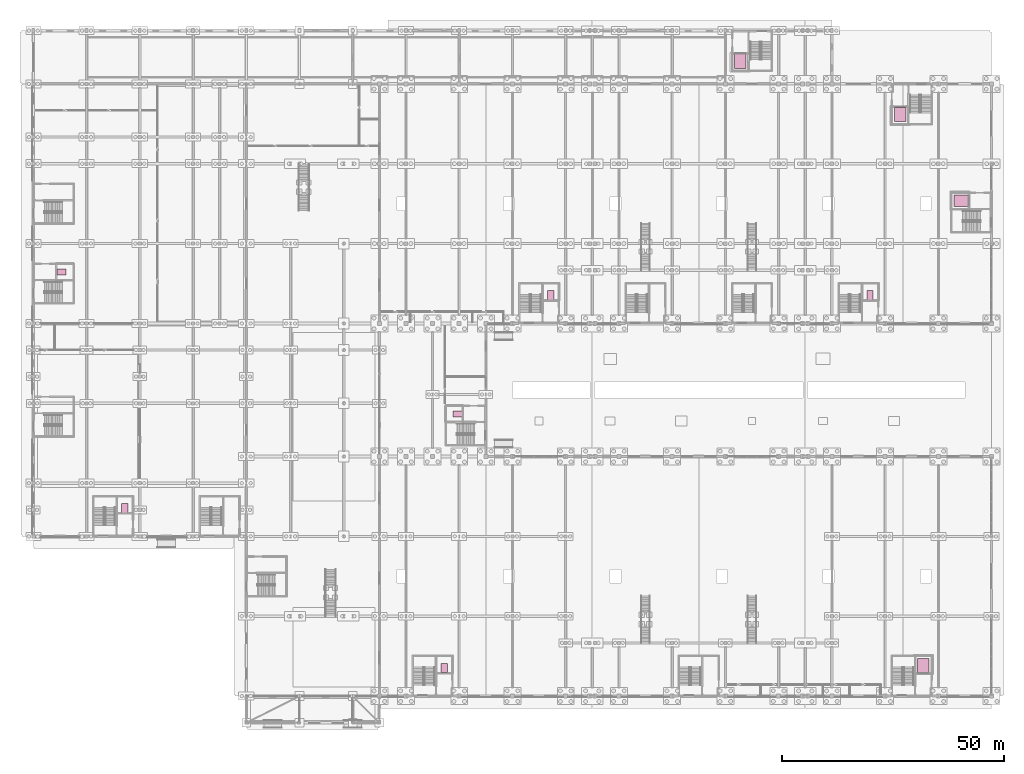
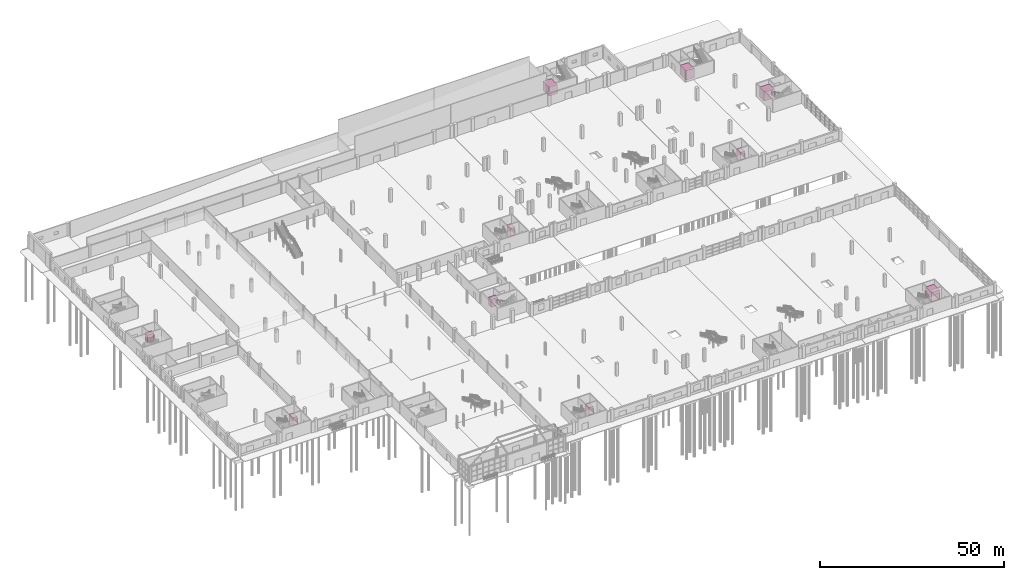
# One storey, part 77 of 77: 10 transport elements.
"""IFC4 building model written with IfcOpenShell, lengths in metres."""

from ifc_helpers import new_model, si_unit, direction, frame, origin, origin_2d, place, context, subcontext, project, spatial, rectangle, extrude, material, type_object, element, save


model = new_model("IFC4")

# Units and contexts
model_context = context("Model", 3, precision=1e-05, world=origin(), true_north=direction((0.0, 1.0)))
body_context = subcontext(model_context, "Body", "Model", "MODEL_VIEW")
ifc_project = project(units=[si_unit("LENGTHUNIT", "METRE"), si_unit("AREAUNIT", "SQUARE_METRE"), si_unit("VOLUMEUNIT", "CUBIC_METRE"), si_unit("PLANEANGLEUNIT", "RADIAN"), si_unit("MASSUNIT", "GRAM", prefix="KILO")], contexts=[model_context])

# Site, building, storey
site_placement = place(None, origin())
site = spatial("IfcSite", under=ifc_project, at=site_placement, CompositionType="ELEMENT")
building_placement = place(site_placement, origin())
building = spatial("IfcBuilding", under=site, at=building_placement, Name="Zilviju Railside Exhibition Hall", CompositionType="ELEMENT")
storey_placement = place(building_placement, origin())
storey = spatial("IfcBuildingStorey", under=building, at=storey_placement, Name="L01", CompositionType="ELEMENT", Elevation=0.0)

# Transport elements
ifc_material_1 = material(Name="Brushed stainless-steel freight lift car", Category="steel")
transport_element_type_1 = type_object("IfcTransportElementType", Name="LIFT-FRT-5000", PredefinedType="ELEVATOR", material=ifc_material_1)
for number, where, z_axis, x_axis, name in (
    (1, (200.6201171875, 6.89990234375, 0.0), (0.0, 0.0, 1.0), (1.0, 0.0, 0.0), "Elevator LF-01 (Freight)"),
    (2, (195.3798828125, 131.10009765625, 0.0), (0.0, 0.0, 1.0), (1.0, 0.0, 0.0), "Elevator LF-02 (Freight)"),
    (3, (209.10009765625, 111.6201171875, 0.0), (0.0, 0.0, 1.0), (0.0, 1.0, 0.0), "Elevator LF-03 (Freight)"),
    (4, (159.3798828125, 143.10009765625, 0.0), (0.0, 0.0, 1.0), (1.0, 0.0, 0.0), "Elevator LF-04 (Freight)"),
):
    element("IfcTransportElement", number, at=place(storey_placement, frame(where, z_axis=z_axis, x_axis=x_axis)), inside=storey, type_object=transport_element_type_1, Name=name, PredefinedType="ELEVATOR", context=body_context, shape_type="SweptSolid", body=[
        extrude(rectangle(XDim=2.60009765625, YDim=3.199951171875, at=origin_2d()), origin(), (0.0, 0.0, 1.0), 3.10009765625),
    ])
ifc_material_2 = material(Name="Brushed bronze and stainless-steel passenger lift car", Category="steel")
transport_element_type_2 = type_object("IfcTransportElementType", Name="LIFT-PASS-1275", PredefinedType="ELEVATOR", material=ifc_material_2)
for number, where, z_axis, x_axis, name in (
    (5, (92.6201171875, 6.35009765625, 0.0), (0.0, 0.0, 1.0), (1.0, 0.0, 0.0), "Elevator LP-01 (Passenger)"),
    (6, (116.6201171875, 90.35009765625, 0.0), (0.0, 0.0, 1.0), (1.0, 0.0, 0.0), "Elevator LP-02 (Passenger)"),
    (7, (188.6201171875, 90.35009765625, 0.0), (0.0, 0.0, 1.0), (1.0, 0.0, 0.0), "Elevator LP-03 (Passenger)"),
    (8, (95.64990234375, 63.6201171875, 0.0), (0.0, 0.0, 1.0), (0.0, 1.0, 0.0), "Elevator LP-04 (Passenger)"),
    (9, (20.6201171875, 42.35009765625, 0.0), (0.0, 0.0, 1.0), (1.0, 0.0, 0.0), "Elevator LP-05 (Passenger)"),
    (10, (6.35009765625, 95.6201171875, 0.0), (0.0, 0.0, 1.0), (0.0, 1.0, 0.0), "Elevator LP-06 (Passenger)"),
):
    element("IfcTransportElement", number, at=place(storey_placement, frame(where, z_axis=z_axis, x_axis=x_axis)), inside=storey, type_object=transport_element_type_2, Name=name, PredefinedType="ELEVATOR", context=body_context, shape_type="SweptSolid", body=[
        extrude(rectangle(XDim=1.39990234375, YDim=2.10009765625, at=origin_2d()), origin(), (0.0, 0.0, 1.0), 2.550048828125),
    ])

save(model, "model.ifc")
